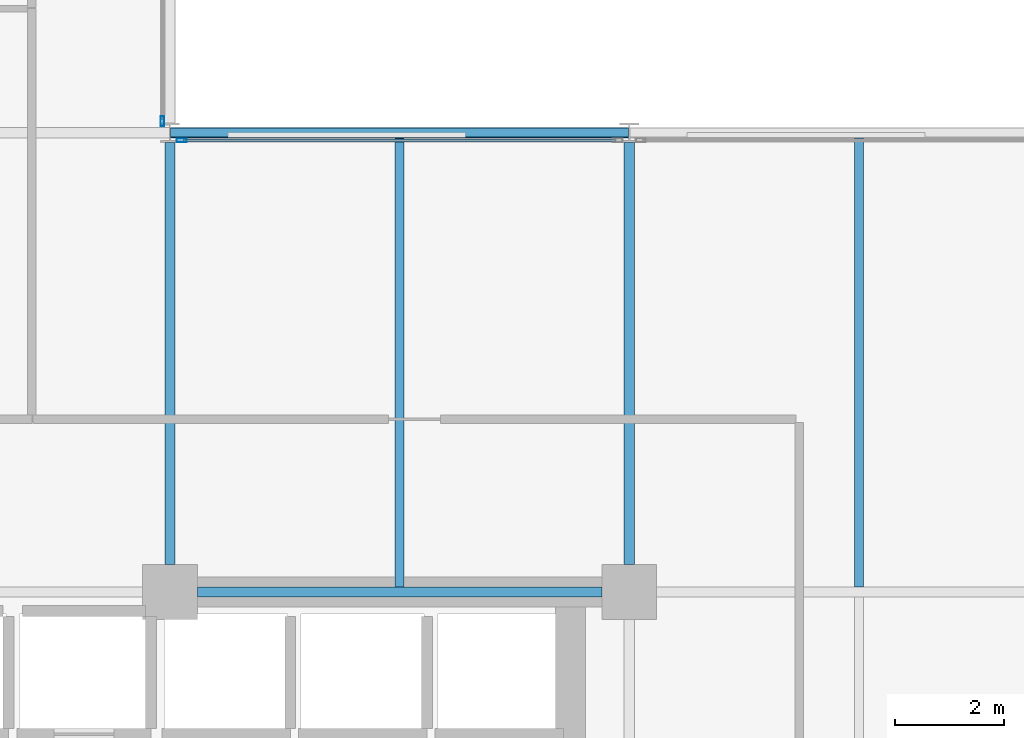
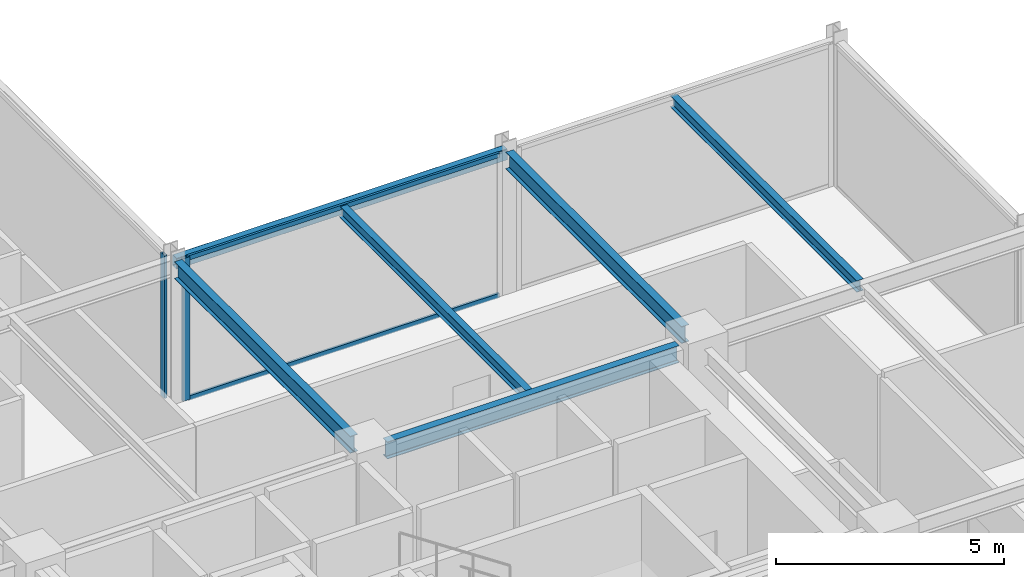
# One storey, part 14 of 29: 6 beams, 4 members, 2 elements without a shape of their own.
"""IFC4 building model written with IfcOpenShell, lengths in metres."""

from ifc_helpers import new_model, si_unit, direction, frame, origin, origin_2d, place, context, subcontext, project, spatial, hollow_rectangle, i_section, extrude, material, layer, layer_set, material_profile, profile_set, type_object, element, aggregate, save


model = new_model("IFC4")

# Units and contexts
model_context = context("Model", 3, precision=1e-05, world=origin(), true_north=direction((0.0, 1.0)))
body_context = subcontext(model_context, "Body", "Model", "MODEL_VIEW")
ifc_project = project(units=[si_unit("LENGTHUNIT", "METRE"), si_unit("AREAUNIT", "SQUARE_METRE"), si_unit("VOLUMEUNIT", "CUBIC_METRE"), si_unit("PLANEANGLEUNIT", "RADIAN"), si_unit("MASSUNIT", "GRAM", prefix="KILO")], contexts=[model_context])

# Site, building, storey
site_placement = place(None, origin())
site = spatial("IfcSite", under=ifc_project, at=site_placement, CompositionType="ELEMENT")
building_placement = place(site_placement, origin())
building = spatial("IfcBuilding", under=site, at=building_placement, Name="Nerrivon Quay Data Exchange", CompositionType="ELEMENT")
storey_placement = place(building_placement, frame((0.0, 0.0, 212.39990234375)))
storey = spatial("IfcBuildingStorey", under=building, at=storey_placement, Name="L50", CompositionType="ELEMENT", Elevation=212.39990234375)

# Beams
ifc_material_1 = material(Name="Steel Grade 350", Category="steel")
ifc_material_profile_1 = material_profile(ifc_material_1, i_section(OverallWidth=0.19091796875, OverallDepth=0.4599609375, WebThickness=0.010009765625, FlangeThickness=0.01611328125, FilletRadius=0.011474609375, at=origin_2d()), Name="460UB82.1")
ifc_profile_set_1 = profile_set([ifc_material_profile_1], Name="Steel Grade 350")
beam_type_1 = type_object("IfcBeamType", Name="BM-G5-460UB82", PredefinedType="BEAM", material=ifc_profile_set_1)
beam_1_placement = place(storey_placement, frame((25.699951171875, 16.800048828125, 3.59521484375), z_axis=(1.0, 0.0, 0.0), x_axis=(0.0, 1.0, 0.0)))
element("IfcBeam", 1, at=beam_1_placement, inside=storey, type_object=beam_type_1, Name="L50 EW Girder Y=16.8 (25.2..33.6)", PredefinedType="BEAM", context=body_context, shape_type="SweptSolid", body=[
    extrude(i_section(OverallWidth=0.19091796875, OverallDepth=0.4599609375, WebThickness=0.010009765625, FlangeThickness=0.01611328125, FilletRadius=0.011474609375, at=origin_2d()), origin(), (0.0, 0.0, 1.0), 7.400146484375),
])
ifc_material_profile_2 = material_profile(ifc_material_1, i_section(OverallWidth=0.18994140625, OverallDepth=0.4541015625, WebThickness=0.008544921875, FlangeThickness=0.0126953125, FilletRadius=0.011474609375, at=origin_2d()), Name="460UB67.1")
ifc_profile_set_2 = profile_set([ifc_material_profile_2], Name="Steel Grade 350")
beam_type_2 = type_object("IfcBeamType", Name="BM-G6-460UB67", PredefinedType="BEAM", material=ifc_profile_set_2)
for number, where, z_axis, x_axis, name in (
    (2, (25.199951171875, 17.300048828125, 3.59814453125), (0.0, 1.0, 0.0), (-1.0, 0.0, 0.0), "L50 NS Girder X=25.2 (16.8..25.2)"),
    (3, (33.60009765625, 17.300048828125, 3.59814453125), (0.0, 1.0, 0.0), (-1.0, 0.0, 0.0), "L50 NS Girder X=33.6 (16.8..25.2)"),
):
    element("IfcBeam", number, at=place(storey_placement, frame(where, z_axis=z_axis, x_axis=x_axis)), inside=storey, type_object=beam_type_2, Name=name, PredefinedType="BEAM", context=body_context, shape_type="SweptSolid", body=[
        extrude(i_section(OverallWidth=0.18994140625, OverallDepth=0.4541015625, WebThickness=0.008544921875, FlangeThickness=0.0126953125, FilletRadius=0.011474609375, at=origin_2d()), origin(), (0.0, 0.0, 1.0), 7.724853515625),
    ])
ifc_material_profile_3 = material_profile(ifc_material_1, i_section(OverallWidth=0.166015625, OverallDepth=0.306884765625, WebThickness=0.006591796875, FlangeThickness=0.01171875, FilletRadius=0.011474609375, at=origin_2d()), Name="310UB46.2")
ifc_profile_set_3 = profile_set([ifc_material_profile_3], Name="Steel Grade 350")
beam_type_3 = type_object("IfcBeamType", Name="BM-J5-310UB46", PredefinedType="JOIST", material=ifc_profile_set_3)
for number, where, z_axis, x_axis, name in (
    (4, (29.39990234375, 16.8955078125, 3.671630859375), (0.0, 1.0, 0.0), (-1.0, 0.0, 0.0), "L50 Secondary Joist X=29.4 (16.8..25.2)"),
    (5, (37.800048828125, 16.8955078125, 3.671630859375), (0.0, 1.0, 0.0), (-1.0, 0.0, 0.0), "L50 Secondary Joist X=37.8 (16.8..25.2)"),
):
    element("IfcBeam", number, at=place(storey_placement, frame(where, z_axis=z_axis, x_axis=x_axis)), inside=storey, type_object=beam_type_3, Name=name, PredefinedType="JOIST", context=body_context, shape_type="SweptSolid", body=[
        extrude(i_section(OverallWidth=0.166015625, OverallDepth=0.306884765625, WebThickness=0.006591796875, FlangeThickness=0.01171875, FilletRadius=0.011474609375, at=origin_2d()), origin(), (0.0, 0.0, 1.0), 8.20458984375),
    ])
ifc_material_2 = material(Name="Steel Grade C350L0 (350 MPa)", Category="steel")
ifc_material_profile_4 = material_profile(ifc_material_2, hollow_rectangle(XDim=0.199951171875, YDim=0.300048828125, WallThickness=0.012451171875, InnerFilletRadius=0.018798828125, OuterFilletRadius=0.03125, at=origin_2d()), Name="300x200x12.5RHS")
ifc_profile_set_4 = profile_set([ifc_material_profile_4], Name="Steel Grade C350L0 (350 MPa)")
beam_type_4 = type_object("IfcBeamType", Name="BM-SP3-300x200RHS", PredefinedType="SPANDREL", material=ifc_profile_set_4)
beam_2_placement = place(storey_placement, frame((25.2099609375, 25.199951171875, 3.675048828125), z_axis=(1.0, 0.0, 0.0), x_axis=(0.0, 1.0, 0.0)))
element("IfcBeam", 6, at=beam_2_placement, inside=storey, type_object=beam_type_4, Name="L50 EW Girder Y=25.2 (25.2..33.6)", PredefinedType="SPANDREL", context=body_context, shape_type="SweptSolid", body=[
    extrude(hollow_rectangle(XDim=0.199951171875, YDim=0.300048828125, WallThickness=0.012451171875, InnerFilletRadius=0.018798828125, OuterFilletRadius=0.03125, at=origin_2d()), origin(), (0.0, 0.0, 1.0), 8.380126953125),
])

# Curtain wall, member
ifc_material_3 = material(Name="Anodised aluminium 6063-T6", Category="aluminium")
ifc_layer = layer(ifc_material_3, 0.195068359375)
ifc_layer_set = layer_set([ifc_layer], Name="Anodised aluminium 6063-T6")
curtain_wall_type = type_object("IfcCurtainWallType", Name="CW-SYS-06", PredefinedType="NOTDEFINED", material=ifc_layer_set)
curtain_wall_1_placement = place(storey_placement, origin())
curtain_wall_1 = element("IfcCurtainWall", 7, at=curtain_wall_1_placement, inside=storey, type_object=curtain_wall_type, Name="L50 Unitised Curtain Wall 15", PredefinedType="NOTDEFINED")
ifc_material_profile_5 = material_profile(ifc_material_3, hollow_rectangle(XDim=0.06494140625, YDim=0.179931640625, WallThickness=0.00341796875, at=origin_2d()), Name="ALU-MULL-180x65")
ifc_profile_set_5 = profile_set([ifc_material_profile_5], Name="Anodised aluminium 6063-T6")
member_type_1 = type_object("IfcMemberType", Name="CWM-180x65", PredefinedType="MULLION", material=ifc_profile_set_5)
member_1_placement = place(storey_placement, frame((25.06005859375, 25.41259765625, 0.0), z_axis=(0.0, 0.0, 1.0), x_axis=(1.0, 0.0, 0.0)))
member_1 = element("IfcMember", 8, at=member_1_placement, type_object=member_type_1, Name="CW06 mullion 2", PredefinedType="MULLION", context=body_context, shape_type="SweptSolid", body=[
    extrude(hollow_rectangle(XDim=0.06494140625, YDim=0.179931640625, WallThickness=0.00341796875, at=origin_2d()), origin(), (0.0, 0.0, 1.0), 3.8251953125),
])
aggregate(curtain_wall_1, [member_1])

# Curtain wall, members
curtain_wall_2_placement = place(storey_placement, origin())
curtain_wall_2 = element("IfcCurtainWall", 9, at=curtain_wall_2_placement, inside=storey, type_object=curtain_wall_type, Name="L50 Unitised Curtain Wall 16", PredefinedType="NOTDEFINED")
member_2_placement = place(storey_placement, frame((25.41259765625, 25.06005859375, 0.0), z_axis=(0.0, 0.0, 1.0), x_axis=(0.0, 1.0, 0.0)))
member_2 = element("IfcMember", 10, at=member_2_placement, type_object=member_type_1, Name="CW06 mullion 1", PredefinedType="MULLION", context=body_context, shape_type="SweptSolid", body=[
    extrude(hollow_rectangle(XDim=0.06494140625, YDim=0.179931640625, WallThickness=0.00341796875, at=origin_2d()), origin(), (0.0, 0.0, 1.0), 3.8251953125),
])
ifc_material_profile_6 = material_profile(ifc_material_3, hollow_rectangle(XDim=0.06005859375, YDim=0.1201171875, WallThickness=0.003173828125, at=origin_2d()), Name="ALU-TRAN-120x60")
ifc_profile_set_6 = profile_set([ifc_material_profile_6], Name="Anodised aluminium 6063-T6")
member_type_2 = type_object("IfcMemberType", Name="CWT-120x60", PredefinedType="USERDEFINED", material=ifc_profile_set_6)
member_3_placement = place(storey_placement, frame((25.449951171875, 25.06005859375, 0.03271484375), z_axis=(1.0, 0.0, 0.0), x_axis=(0.0, 1.0, 0.0)))
member_3 = element("IfcMember", 11, at=member_3_placement, type_object=member_type_2, Name="CW06 transom 1.1", ObjectType="TRANSOM", PredefinedType="USERDEFINED", context=body_context, shape_type="SweptSolid", body=[
    extrude(hollow_rectangle(XDim=0.06005859375, YDim=0.1201171875, WallThickness=0.003173828125, at=origin_2d()), origin(), (0.0, 0.0, 1.0), 7.900146484375),
])
member_4_placement = place(storey_placement, frame((25.449951171875, 25.06005859375, 3.79248046875), z_axis=(1.0, 0.0, 0.0), x_axis=(0.0, 1.0, 0.0)))
member_4 = element("IfcMember", 12, at=member_4_placement, type_object=member_type_2, Name="CW06 transom 1.2", ObjectType="TRANSOM", PredefinedType="USERDEFINED", context=body_context, shape_type="SweptSolid", body=[
    extrude(hollow_rectangle(XDim=0.06005859375, YDim=0.1201171875, WallThickness=0.003173828125, at=origin_2d()), origin(), (0.0, 0.0, 1.0), 7.900146484375),
])
aggregate(curtain_wall_2, [member_2, member_3, member_4])

save(model, "model.ifc")
